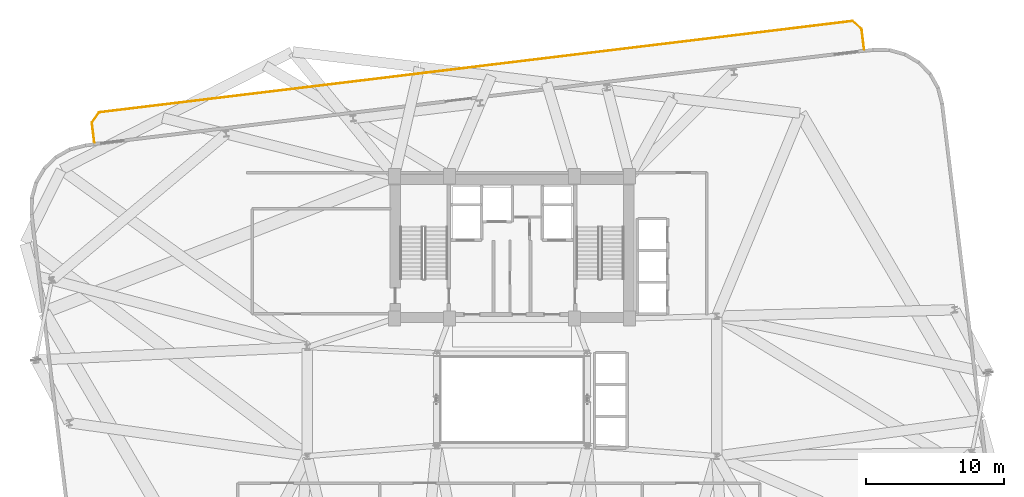
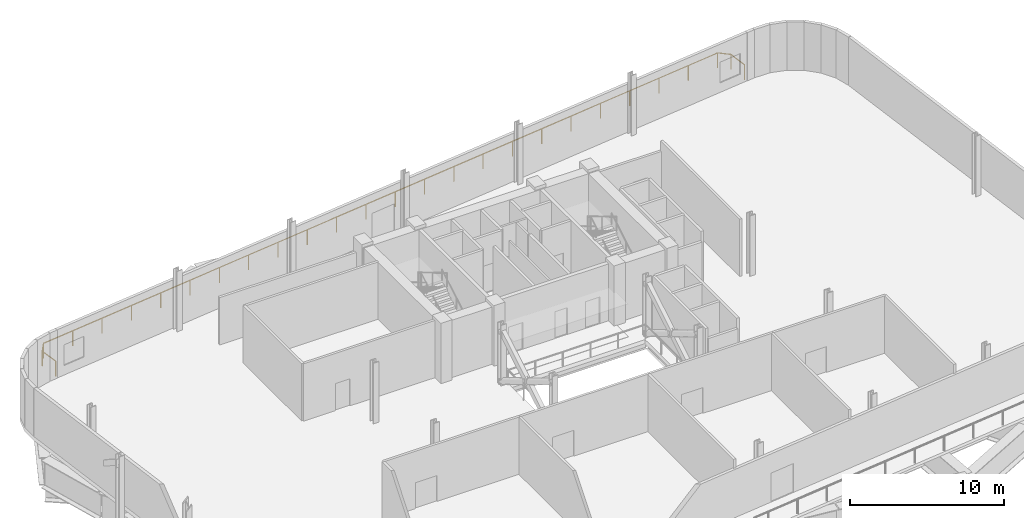
# One storey, part 11 of 11: 1 railing.
"""IFC4 building model written with IfcOpenShell, lengths in metres."""

from ifc_helpers import new_model, si_unit, direction, frame, origin, origin_2d, place, context, subcontext, project, spatial, circle, extrude, material, type_object, element, save


model = new_model("IFC4")

# Units and contexts
model_context = context("Model", 3, precision=1e-05, world=origin(), true_north=direction((0.0, 1.0)))
body_context = subcontext(model_context, "Body", "Model", "MODEL_VIEW")
ifc_project = project(units=[si_unit("LENGTHUNIT", "METRE"), si_unit("AREAUNIT", "SQUARE_METRE"), si_unit("VOLUMEUNIT", "CUBIC_METRE"), si_unit("PLANEANGLEUNIT", "RADIAN"), si_unit("MASSUNIT", "GRAM", prefix="KILO")], contexts=[model_context])

# Site, building, storey
site_placement = place(None, origin())
site = spatial("IfcSite", under=ifc_project, at=site_placement, CompositionType="ELEMENT")
building_placement = place(site_placement, origin())
building = spatial("IfcBuilding", under=site, at=building_placement, Name="Varnelok Gate Tower", CompositionType="ELEMENT")
storey_placement = place(building_placement, frame((0.0, 0.0, 162.39990234375)))
storey = spatial("IfcBuildingStorey", under=building, at=storey_placement, Name="L41", CompositionType="ELEMENT", Elevation=162.39990234375)

# Railing
ifc_material = material(Name="Anodized Aluminum Alloy 6063-T6", Category="aluminium")
railing_type = type_object("IfcRailingType", Name="RL-SKYG-1200", PredefinedType="GUARDRAIL", material=ifc_material)
railing_placement = place(storey_placement, frame((8.992919921875, 41.482421875, 0.0)))
element("IfcRailing", 1, at=railing_placement, inside=storey, type_object=railing_type, Name="L41 North Terrace Balustrade 2", PredefinedType="GUARDRAIL", context=body_context, shape_type="SweptSolid", body=[
    extrude(circle(Radius=0.02392578125, at=origin_2d()), frame((0.0, 0.0, 1.17578125), z_axis=(-0.120252002797, 0.992743398781, 0.0), x_axis=(-0.992743398781, -0.120252002797, 0.0)), (0.0, 0.0, 1.0), 1.469970703125),
    extrude(circle(Radius=0.02392578125, at=origin_2d()), frame((-0.1767578125, 1.459228515625, 1.17578125), z_axis=(0.577971037086, 0.816057277579, 0.0), x_axis=(-0.816057277579, 0.577971037086, 0.0)), (0.0, 0.0, 1.0), 0.877685546875),
    extrude(circle(Radius=0.02392578125, at=origin_2d()), frame((0.33056640625, 2.175537109375, 1.17578125), z_axis=(0.992732204374, 0.120344382494, 0.0), x_axis=(-0.120344382494, 0.992732204374, 0.0)), (0.0, 0.0, 1.0), 54.900146484375),
    extrude(circle(Radius=0.02392578125, at=origin_2d()), frame((54.831787109375, 8.782470703125, 1.17578125), z_axis=(0.756303655992, -0.654220742513, 0.0), x_axis=(0.654220742513, 0.756303655992, 0.0)), (0.0, 0.0, 1.0), 0.877685546875),
    extrude(circle(Radius=0.02392578125, at=origin_2d()), frame((55.49560546875, 8.208251953125, 1.17578125), z_axis=(0.120232177852, -0.992745799996, 0.0), x_axis=(0.992745799996, 0.120232177852, 0.0)), (0.0, 0.0, 1.0), 1.47021484375),
    extrude(circle(Radius=0.02099609375, at=origin_2d()), origin(), (0.0, 0.0, 1.0), 1.15185546875),
    extrude(circle(Radius=0.02099609375, at=origin_2d()), frame((-0.1767578125, 1.459228515625, 0.0)), (0.0, 0.0, 1.0), 1.15185546875),
    extrude(circle(Radius=0.02099609375, at=origin_2d()), frame((0.33056640625, 2.175537109375, 0.0)), (0.0, 0.0, 1.0), 1.15185546875),
    extrude(circle(Radius=0.02099609375, at=origin_2d()), frame((2.7001953125, 2.462890625, 0.0)), (0.0, 0.0, 1.0), 1.15185546875),
    extrude(circle(Radius=0.02099609375, at=origin_2d()), frame((5.06982421875, 2.75, 0.0)), (0.0, 0.0, 1.0), 1.15185546875),
    extrude(circle(Radius=0.02099609375, at=origin_2d()), frame((7.439453125, 3.037353515625, 0.0)), (0.0, 0.0, 1.0), 1.15185546875),
    extrude(circle(Radius=0.02099609375, at=origin_2d()), frame((9.80908203125, 3.324462890625, 0.0)), (0.0, 0.0, 1.0), 1.15185546875),
    extrude(circle(Radius=0.02099609375, at=origin_2d()), frame((12.1787109375, 3.61181640625, 0.0)), (0.0, 0.0, 1.0), 1.15185546875),
    extrude(circle(Radius=0.02099609375, at=origin_2d()), frame((14.54833984375, 3.899169921875, 0.0)), (0.0, 0.0, 1.0), 1.15185546875),
    extrude(circle(Radius=0.02099609375, at=origin_2d()), frame((16.91796875, 4.186279296875, 0.0)), (0.0, 0.0, 1.0), 1.15185546875),
    extrude(circle(Radius=0.02099609375, at=origin_2d()), frame((19.28759765625, 4.4736328125, 0.0)), (0.0, 0.0, 1.0), 1.15185546875),
    extrude(circle(Radius=0.02099609375, at=origin_2d()), frame((21.6572265625, 4.7607421875, 0.0)), (0.0, 0.0, 1.0), 1.15185546875),
    extrude(circle(Radius=0.02099609375, at=origin_2d()), frame((24.02685546875, 5.048095703125, 0.0)), (0.0, 0.0, 1.0), 1.15185546875),
    extrude(circle(Radius=0.02099609375, at=origin_2d()), frame((26.396484375, 5.33544921875, 0.0)), (0.0, 0.0, 1.0), 1.15185546875),
    extrude(circle(Radius=0.02099609375, at=origin_2d()), frame((28.765869140625, 5.62255859375, 0.0)), (0.0, 0.0, 1.0), 1.15185546875),
    extrude(circle(Radius=0.02099609375, at=origin_2d()), frame((31.135498046875, 5.909912109375, 0.0)), (0.0, 0.0, 1.0), 1.15185546875),
    extrude(circle(Radius=0.02099609375, at=origin_2d()), frame((33.505126953125, 6.197265625, 0.0)), (0.0, 0.0, 1.0), 1.15185546875),
    extrude(circle(Radius=0.02099609375, at=origin_2d()), frame((35.874755859375, 6.484375, 0.0)), (0.0, 0.0, 1.0), 1.15185546875),
    extrude(circle(Radius=0.02099609375, at=origin_2d()), frame((38.244384765625, 6.771728515625, 0.0)), (0.0, 0.0, 1.0), 1.15185546875),
    extrude(circle(Radius=0.02099609375, at=origin_2d()), frame((40.614013671875, 7.058837890625, 0.0)), (0.0, 0.0, 1.0), 1.15185546875),
    extrude(circle(Radius=0.02099609375, at=origin_2d()), frame((42.983642578125, 7.34619140625, 0.0)), (0.0, 0.0, 1.0), 1.15185546875),
    extrude(circle(Radius=0.02099609375, at=origin_2d()), frame((45.353271484375, 7.633544921875, 0.0)), (0.0, 0.0, 1.0), 1.15185546875),
    extrude(circle(Radius=0.02099609375, at=origin_2d()), frame((47.722900390625, 7.920654296875, 0.0)), (0.0, 0.0, 1.0), 1.15185546875),
    extrude(circle(Radius=0.02099609375, at=origin_2d()), frame((50.092529296875, 8.2080078125, 0.0)), (0.0, 0.0, 1.0), 1.15185546875),
    extrude(circle(Radius=0.02099609375, at=origin_2d()), frame((52.462158203125, 8.4951171875, 0.0)), (0.0, 0.0, 1.0), 1.15185546875),
    extrude(circle(Radius=0.02099609375, at=origin_2d()), frame((54.831787109375, 8.782470703125, 0.0)), (0.0, 0.0, 1.0), 1.15185546875),
    extrude(circle(Radius=0.02099609375, at=origin_2d()), frame((55.49560546875, 8.208251953125, 0.0)), (0.0, 0.0, 1.0), 1.15185546875),
    extrude(circle(Radius=0.02099609375, at=origin_2d()), frame((55.67236328125, 6.748779296875, 0.0)), (0.0, 0.0, 1.0), 1.15185546875),
])

save(model, "model.ifc")
